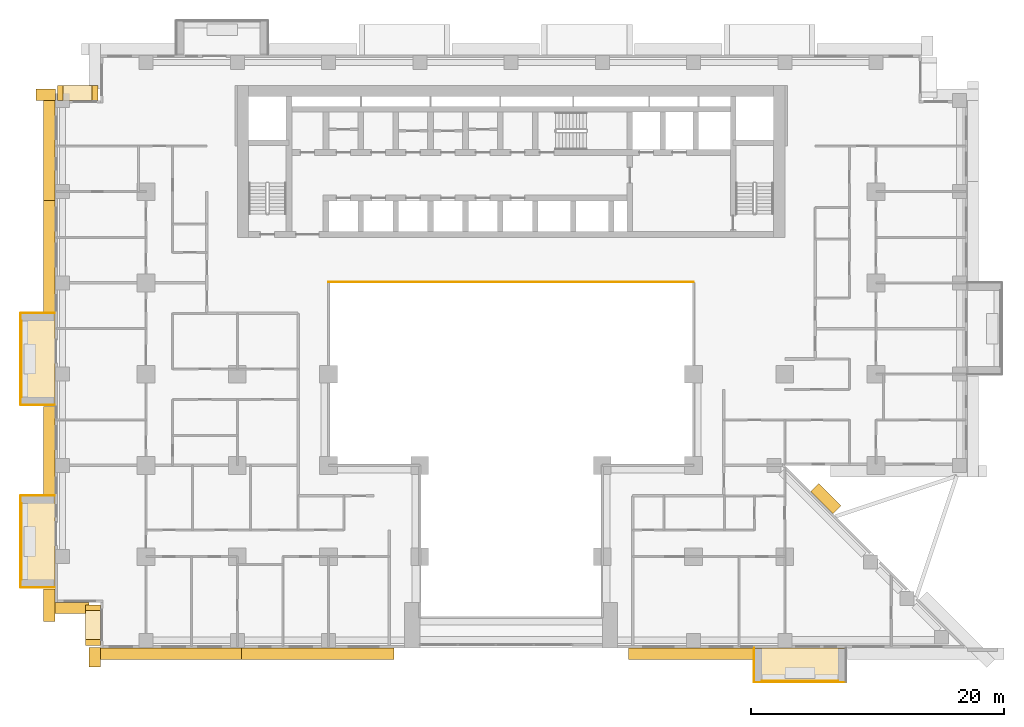
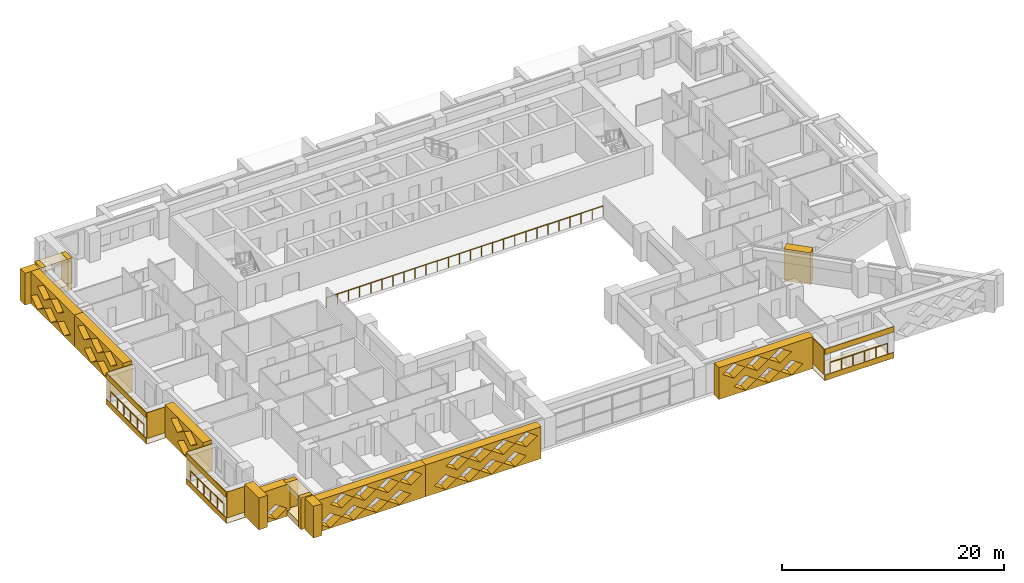
# One storey, part 13 of 16: 33 coverings, 4 railings.
"""IFC4 building model written with IfcOpenShell, lengths in metres."""

from ifc_helpers import new_model, si_unit, direction, frame, origin, origin_2d, place, context, subcontext, project, spatial, polyline, circle, outline, extrude, material, layer, layer_set, type_object, element, save


model = new_model("IFC4")

# Units and contexts
model_context = context("Model", 3, precision=1e-05, world=origin(), true_north=direction((0.0, 1.0)))
body_context = subcontext(model_context, "Body", "Model", "MODEL_VIEW")
ifc_project = project(units=[si_unit("LENGTHUNIT", "METRE"), si_unit("AREAUNIT", "SQUARE_METRE"), si_unit("VOLUMEUNIT", "CUBIC_METRE"), si_unit("PLANEANGLEUNIT", "RADIAN"), si_unit("MASSUNIT", "GRAM", prefix="KILO")], contexts=[model_context])

# Site, building, storey
site_placement = place(None, origin())
site = spatial("IfcSite", under=ifc_project, at=site_placement, CompositionType="ELEMENT")
building_placement = place(site_placement, origin())
building = spatial("IfcBuilding", under=site, at=building_placement, Name="Saffron Iwan Residences", CompositionType="ELEMENT")
storey_placement = place(building_placement, frame((0.0, 0.0, 30.5)))
storey = spatial("IfcBuildingStorey", under=building, at=storey_placement, Name="L06", CompositionType="ELEMENT", Elevation=30.5)

# Railings
ifc_material_1 = material(Name="Stainless steel 316", Category="steel")
railing_type_1 = type_object("IfcRailingType", Name="Atrium guard 1150", PredefinedType="GUARDRAIL", material=ifc_material_1)
railing_1_placement = place(storey_placement, frame((36.0, 62.47509765625, 0.0)))
element("IfcRailing", 1, at=railing_1_placement, inside=storey, type_object=railing_type_1, Name="Atrium guard L06", PredefinedType="GUARDRAIL", context=body_context, shape_type="SweptSolid", body=[
    extrude(circle(Radius=0.02392578125, at=origin_2d()), frame((0.0, 0.0, 1.1259765625), z_axis=(1.0, 0.0, 0.0), x_axis=(0.0, 1.0, 0.0)), (0.0, 0.0, 1.0), 28.800048828125),
    extrude(circle(Radius=0.02099609375, at=origin_2d()), origin(), (0.0, 0.0, 1.0), 1.101806640625),
    extrude(circle(Radius=0.02099609375, at=origin_2d()), frame((1.152099609375, 0.0, 0.0)), (0.0, 0.0, 1.0), 1.101806640625),
    extrude(circle(Radius=0.02099609375, at=origin_2d()), frame((2.303955078125, 0.0, 0.0)), (0.0, 0.0, 1.0), 1.101806640625),
    extrude(circle(Radius=0.02099609375, at=origin_2d()), frame((3.4560546875, 0.0, 0.0)), (0.0, 0.0, 1.0), 1.101806640625),
    extrude(circle(Radius=0.02099609375, at=origin_2d()), frame((4.60791015625, 0.0, 0.0)), (0.0, 0.0, 1.0), 1.101806640625),
    extrude(circle(Radius=0.02099609375, at=origin_2d()), frame((5.760009765625, 0.0, 0.0)), (0.0, 0.0, 1.0), 1.101806640625),
    extrude(circle(Radius=0.02099609375, at=origin_2d()), frame((6.912109375, 0.0, 0.0)), (0.0, 0.0, 1.0), 1.101806640625),
    extrude(circle(Radius=0.02099609375, at=origin_2d()), frame((8.06396484375, 0.0, 0.0)), (0.0, 0.0, 1.0), 1.101806640625),
    extrude(circle(Radius=0.02099609375, at=origin_2d()), frame((9.216064453125, 0.0, 0.0)), (0.0, 0.0, 1.0), 1.101806640625),
    extrude(circle(Radius=0.02099609375, at=origin_2d()), frame((10.367919921875, 0.0, 0.0)), (0.0, 0.0, 1.0), 1.101806640625),
    extrude(circle(Radius=0.02099609375, at=origin_2d()), frame((11.52001953125, 0.0, 0.0)), (0.0, 0.0, 1.0), 1.101806640625),
    extrude(circle(Radius=0.02099609375, at=origin_2d()), frame((12.672119140625, 0.0, 0.0)), (0.0, 0.0, 1.0), 1.101806640625),
    extrude(circle(Radius=0.02099609375, at=origin_2d()), frame((13.823974609375, 0.0, 0.0)), (0.0, 0.0, 1.0), 1.101806640625),
    extrude(circle(Radius=0.02099609375, at=origin_2d()), frame((14.97607421875, 0.0, 0.0)), (0.0, 0.0, 1.0), 1.101806640625),
    extrude(circle(Radius=0.02099609375, at=origin_2d()), frame((16.1279296875, 0.0, 0.0)), (0.0, 0.0, 1.0), 1.101806640625),
    extrude(circle(Radius=0.02099609375, at=origin_2d()), frame((17.280029296875, 0.0, 0.0)), (0.0, 0.0, 1.0), 1.101806640625),
    extrude(circle(Radius=0.02099609375, at=origin_2d()), frame((18.43212890625, 0.0, 0.0)), (0.0, 0.0, 1.0), 1.101806640625),
    extrude(circle(Radius=0.02099609375, at=origin_2d()), frame((19.583984375, 0.0, 0.0)), (0.0, 0.0, 1.0), 1.101806640625),
    extrude(circle(Radius=0.02099609375, at=origin_2d()), frame((20.736083984375, 0.0, 0.0)), (0.0, 0.0, 1.0), 1.101806640625),
    extrude(circle(Radius=0.02099609375, at=origin_2d()), frame((21.887939453125, 0.0, 0.0)), (0.0, 0.0, 1.0), 1.101806640625),
    extrude(circle(Radius=0.02099609375, at=origin_2d()), frame((23.0400390625, 0.0, 0.0)), (0.0, 0.0, 1.0), 1.101806640625),
    extrude(circle(Radius=0.02099609375, at=origin_2d()), frame((24.192138671875, 0.0, 0.0)), (0.0, 0.0, 1.0), 1.101806640625),
    extrude(circle(Radius=0.02099609375, at=origin_2d()), frame((25.343994140625, 0.0, 0.0)), (0.0, 0.0, 1.0), 1.101806640625),
    extrude(circle(Radius=0.02099609375, at=origin_2d()), frame((26.49609375, 0.0, 0.0)), (0.0, 0.0, 1.0), 1.101806640625),
    extrude(circle(Radius=0.02099609375, at=origin_2d()), frame((27.64794921875, 0.0, 0.0)), (0.0, 0.0, 1.0), 1.101806640625),
    extrude(circle(Radius=0.02099609375, at=origin_2d()), frame((28.800048828125, 0.0, 0.0)), (0.0, 0.0, 1.0), 1.101806640625),
])
railing_type_2 = type_object("IfcRailingType", Name="BALCONY GUARD 1150", PredefinedType="GUARDRAIL", material=ifc_material_1)
for number, where, name in (
    (2, (11.77490234375, 59.39990234375, 0.0), "Balcony guard L06 F8-1"),
    (3, (11.77490234375, 45.0, 0.0), "Balcony guard L06 F8-2"),
):
    element("IfcRailing", number, at=place(storey_placement, frame(where)), inside=storey, type_object=railing_type_2, Name=name, PredefinedType="GUARDRAIL", context=body_context, shape_type="SweptSolid", body=[
        extrude(circle(Radius=0.02392578125, at=origin_2d()), frame((0.0, 0.0, 1.1259765625), z_axis=(0.0, -1.0, 0.0), x_axis=(1.0, 0.0, 0.0)), (0.0, 0.0, 1.0), 6.0),
        extrude(circle(Radius=0.02099609375, at=origin_2d()), origin(), (0.0, 0.0, 1.0), 1.101806640625),
        extrude(circle(Radius=0.02099609375, at=origin_2d()), frame((0.0, -1.199951171875, 0.0)), (0.0, 0.0, 1.0), 1.101806640625),
        extrude(circle(Radius=0.02099609375, at=origin_2d()), frame((0.0, -2.39990234375, 0.0)), (0.0, 0.0, 1.0), 1.101806640625),
        extrude(circle(Radius=0.02099609375, at=origin_2d()), frame((0.0, -3.60009765625, 0.0)), (0.0, 0.0, 1.0), 1.101806640625),
        extrude(circle(Radius=0.02099609375, at=origin_2d()), frame((0.0, -4.800048828125, 0.0)), (0.0, 0.0, 1.0), 1.101806640625),
        extrude(circle(Radius=0.02099609375, at=origin_2d()), frame((0.0, -6.0, 0.0)), (0.0, 0.0, 1.0), 1.101806640625),
    ])
railing_2_placement = place(storey_placement, frame((70.199951171875, 30.97509765625, 0.0)))
element("IfcRailing", 4, at=railing_2_placement, inside=storey, type_object=railing_type_2, Name="Balcony guard L06 11-1", PredefinedType="GUARDRAIL", context=body_context, shape_type="SweptSolid", body=[
    extrude(circle(Radius=0.02392578125, at=origin_2d()), frame((0.0, 0.0, 1.1259765625), z_axis=(1.0, 0.0, 0.0), x_axis=(0.0, 1.0, 0.0)), (0.0, 0.0, 1.0), 6.0),
    extrude(circle(Radius=0.02099609375, at=origin_2d()), origin(), (0.0, 0.0, 1.0), 1.101806640625),
    extrude(circle(Radius=0.02099609375, at=origin_2d()), frame((1.199951171875, 0.0, 0.0)), (0.0, 0.0, 1.0), 1.101806640625),
    extrude(circle(Radius=0.02099609375, at=origin_2d()), frame((2.39990234375, 0.0, 0.0)), (0.0, 0.0, 1.0), 1.101806640625),
    extrude(circle(Radius=0.02099609375, at=origin_2d()), frame((3.60009765625, 0.0, 0.0)), (0.0, 0.0, 1.0), 1.101806640625),
    extrude(circle(Radius=0.02099609375, at=origin_2d()), frame((4.800048828125, 0.0, 0.0)), (0.0, 0.0, 1.0), 1.101806640625),
    extrude(circle(Radius=0.02099609375, at=origin_2d()), frame((6.0, 0.0, 0.0)), (0.0, 0.0, 1.0), 1.101806640625),
])

# Coverings
ifc_material_2 = material(Name="Precast concrete C40/50 white painted", Category="concrete")
ifc_layer = layer(ifc_material_2, 0.050048828125)
ifc_layer_set = layer_set([ifc_layer], Name="Precast concrete C40/50 white painted")
covering_type_1 = type_object("IfcCoveringType", Name="FRAME SKIN PRECAST WHITE 50", PredefinedType="CLADDING", material=ifc_layer_set)
for number, where, name in (
    (5, (0.0, 0.0, -0.60009765625), "Frame skin slab edge L06 F8-1"),
    (6, (0.0, 0.0, 2.25), "Frame skin fascia L06 F8-1"),
):
    element("IfcCovering", number, at=place(storey_placement, frame(where)), inside=storey, type_object=covering_type_1, Name=name, PredefinedType="CLADDING", context=body_context, shape_type="SweptSolid", body=[
        extrude(outline(polyline([(11.64990234375, 60.0), (11.64990234375, 52.800048828125), (11.699951171875, 52.800048828125), (11.699951171875, 60.0), (11.64990234375, 60.0)])), origin(), (0.0, 0.0, 1.0), 0.60009765625),
    ])
covering_1_placement = place(storey_placement, frame((0.0, 0.0, -0.64990234375)))
element("IfcCovering", 7, at=covering_1_placement, inside=storey, type_object=covering_type_1, Name="Frame skin soffit L06 F8-1", PredefinedType="CLADDING", context=body_context, shape_type="SweptSolid", body=[
    extrude(outline(polyline([(11.699951171875, 60.0), (11.699951171875, 52.800048828125), (14.39990234375, 52.800048828125), (14.39990234375, 60.0), (11.699951171875, 60.0)])), origin(), (0.0, 0.0, 1.0), 0.0498046875),
])
covering_2_placement = place(storey_placement, origin())
element("IfcCovering", 8, at=covering_2_placement, inside=storey, type_object=covering_type_1, Name="Frame skin fin L06 F8-1a", PredefinedType="CLADDING", context=body_context, shape_type="SweptSolid", body=[
    extrude(outline(polyline([(11.699951171875, 60.050048828125), (11.699951171875, 60.0), (14.39990234375, 60.0), (14.39990234375, 60.050048828125), (11.699951171875, 60.050048828125)])), origin(), (0.0, 0.0, 1.0), 2.85009765625),
])
covering_3_placement = place(storey_placement, origin())
element("IfcCovering", 9, at=covering_3_placement, inside=storey, type_object=covering_type_1, Name="Frame skin fin L06 F8-1b", PredefinedType="CLADDING", context=body_context, shape_type="SweptSolid", body=[
    extrude(outline(polyline([(11.699951171875, 52.800048828125), (11.699951171875, 52.75), (14.39990234375, 52.75), (14.39990234375, 52.800048828125), (11.699951171875, 52.800048828125)])), origin(), (0.0, 0.0, 1.0), 2.85009765625),
])
for number, where, name in (
    (10, (0.0, 0.0, -0.60009765625), "Frame skin slab edge L06 F8-2"),
    (11, (0.0, 0.0, 2.25), "Frame skin fascia L06 F8-2"),
):
    element("IfcCovering", number, at=place(storey_placement, frame(where)), inside=storey, type_object=covering_type_1, Name=name, PredefinedType="CLADDING", context=body_context, shape_type="SweptSolid", body=[
        extrude(outline(polyline([(11.64990234375, 45.60009765625), (11.64990234375, 38.39990234375), (11.699951171875, 38.39990234375), (11.699951171875, 45.60009765625), (11.64990234375, 45.60009765625)])), origin(), (0.0, 0.0, 1.0), 0.60009765625),
    ])
covering_4_placement = place(storey_placement, frame((0.0, 0.0, -0.64990234375)))
element("IfcCovering", 12, at=covering_4_placement, inside=storey, type_object=covering_type_1, Name="Frame skin soffit L06 F8-2", PredefinedType="CLADDING", context=body_context, shape_type="SweptSolid", body=[
    extrude(outline(polyline([(11.699951171875, 45.60009765625), (11.699951171875, 38.39990234375), (14.39990234375, 38.39990234375), (14.39990234375, 45.60009765625), (11.699951171875, 45.60009765625)])), origin(), (0.0, 0.0, 1.0), 0.0498046875),
])
covering_5_placement = place(storey_placement, origin())
element("IfcCovering", 13, at=covering_5_placement, inside=storey, type_object=covering_type_1, Name="Frame skin fin L06 F8-2a", PredefinedType="CLADDING", context=body_context, shape_type="SweptSolid", body=[
    extrude(outline(polyline([(11.699951171875, 45.64990234375), (11.699951171875, 45.60009765625), (14.39990234375, 45.60009765625), (14.39990234375, 45.64990234375), (11.699951171875, 45.64990234375)])), origin(), (0.0, 0.0, 1.0), 2.85009765625),
])
covering_6_placement = place(storey_placement, origin())
element("IfcCovering", 14, at=covering_6_placement, inside=storey, type_object=covering_type_1, Name="Frame skin fin L06 F8-2b", PredefinedType="CLADDING", context=body_context, shape_type="SweptSolid", body=[
    extrude(outline(polyline([(11.699951171875, 38.39990234375), (11.699951171875, 38.35009765625), (14.39990234375, 38.35009765625), (14.39990234375, 38.39990234375), (11.699951171875, 38.39990234375)])), origin(), (0.0, 0.0, 1.0), 2.85009765625),
])
for number, where, name in (
    (15, (0.0, 0.0, -0.60009765625), "Frame skin slab edge L06 11-1"),
    (16, (0.0, 0.0, 2.25), "Frame skin fascia L06 11-1"),
):
    element("IfcCovering", number, at=place(storey_placement, frame(where)), inside=storey, type_object=covering_type_1, Name=name, PredefinedType="CLADDING", context=body_context, shape_type="SweptSolid", body=[
        extrude(outline(polyline([(69.60009765625, 30.85009765625), (76.800048828125, 30.85009765625), (76.800048828125, 30.89990234375), (69.60009765625, 30.89990234375), (69.60009765625, 30.85009765625)])), origin(), (0.0, 0.0, 1.0), 0.60009765625),
    ])
covering_7_placement = place(storey_placement, frame((0.0, 0.0, -0.64990234375)))
element("IfcCovering", 17, at=covering_7_placement, inside=storey, type_object=covering_type_1, Name="Frame skin soffit L06 11-1", PredefinedType="CLADDING", context=body_context, shape_type="SweptSolid", body=[
    extrude(outline(polyline([(69.60009765625, 30.89990234375), (76.800048828125, 30.89990234375), (76.800048828125, 33.60009765625), (69.60009765625, 33.60009765625), (69.60009765625, 30.89990234375)])), origin(), (0.0, 0.0, 1.0), 0.0498046875),
])
covering_8_placement = place(storey_placement, origin())
element("IfcCovering", 18, at=covering_8_placement, inside=storey, type_object=covering_type_1, Name="Frame skin fin L06 11-1a", PredefinedType="CLADDING", context=body_context, shape_type="SweptSolid", body=[
    extrude(outline(polyline([(69.550048828125, 30.89990234375), (69.60009765625, 30.89990234375), (69.60009765625, 33.60009765625), (69.550048828125, 33.60009765625), (69.550048828125, 30.89990234375)])), origin(), (0.0, 0.0, 1.0), 2.85009765625),
])
ifc_material_3 = material(Name="Precast concrete C40/50", Category="concrete")
covering_type_2 = type_object("IfcCoveringType", Name="OUTER SKIN LATTICE SCREEN", PredefinedType="CLADDING", material=ifc_material_3)
covering_9_placement = place(storey_placement, frame((75.805908203125, 44.194091796875, -0.320068359375), z_axis=(0.707106781187, 0.707106781187, 0.0), x_axis=(-0.707106781187, 0.707106781187, 0.0)))
element("IfcCovering", 19, at=covering_9_placement, inside=storey, type_object=covering_type_2, Name="OUTER SKIN lattice screen L06 F0.1", PredefinedType="CLADDING", context=body_context, shape_type="SweptSolid", body=[
    extrude(outline(polyline([(0.0, 0.0), (2.4853515625, 0.0), (2.4853515625, 3.5), (0.0, 3.5), (0.0, 0.0)])), origin(), (0.0, 0.0, 1.0), 0.900146484375),
])
covering_10_placement = place(storey_placement, frame((14.449951171875, 76.800048828125, -0.320068359375), z_axis=(0.0, 1.0, 0.0), x_axis=(-1.0, 0.0, 0.0)))
element("IfcCovering", 20, at=covering_10_placement, inside=storey, type_object=covering_type_2, Name="OUTER SKIN lattice screen L06 F7.0", PredefinedType="CLADDING", context=body_context, shape_type="SweptSolid", body=[
    extrude(outline(polyline([(0.0, 0.0), (1.550048828125, 0.0), (1.550048828125, 3.5), (0.0, 3.5), (0.0, 0.0)])), origin(), (0.0, 0.0, 1.0), 0.89990234375),
])
covering_11_placement = place(storey_placement, frame((14.39990234375, 77.699951171875, -0.320068359375), z_axis=(-1.0, 0.0, 0.0), x_axis=(0.0, -1.0, 0.0)))
element("IfcCovering", 21, at=covering_11_placement, inside=storey, type_object=covering_type_2, Name="OUTER SKIN lattice screen L06 F8.0", PredefinedType="CLADDING", context=body_context, shape_type="SweptSolid", body=[
    extrude(outline(polyline([(0.0, 0.0), (8.77490234375, 0.0), (8.77490234375, 3.5), (0.0, 3.5), (0.0, 0.0)]), holes=[polyline([(0.919921875, 0.875), (2.10009765625, 0.06005859375), (3.280029296875, 0.875), (2.10009765625, 1.68994140625), (0.919921875, 0.875)]), polyline([(3.320068359375, 0.875), (4.5, 0.06005859375), (5.679931640625, 0.875), (4.5, 1.68994140625), (3.320068359375, 0.875)]), polyline([(5.719970703125, 0.875), (6.89990234375, 0.06005859375), (8.080078125, 0.875), (6.89990234375, 1.68994140625), (5.719970703125, 0.875)]), polyline([(2.1201171875, 2.625), (3.300048828125, 1.81005859375), (4.47998046875, 2.625), (3.300048828125, 3.43994140625), (2.1201171875, 2.625)]), polyline([(4.52001953125, 2.625), (5.699951171875, 1.81005859375), (6.8798828125, 2.625), (5.699951171875, 3.43994140625), (4.52001953125, 2.625)])]), origin(), (0.0, 0.0, 1.0), 0.89990234375),
])
covering_12_placement = place(storey_placement, frame((14.39990234375, 68.925048828125, -0.320068359375), z_axis=(-1.0, 0.0, 0.0), x_axis=(0.0, -1.0, 0.0)))
element("IfcCovering", 22, at=covering_12_placement, inside=storey, type_object=covering_type_2, Name="OUTER SKIN lattice screen L06 F8.1", PredefinedType="CLADDING", context=body_context, shape_type="SweptSolid", body=[
    extrude(outline(polyline([(0.0, 0.0), (8.77490234375, 0.0), (8.77490234375, 3.5), (0.0, 3.5), (0.0, 0.0)]), holes=[polyline([(1.7451171875, 0.875), (2.925048828125, 0.06005859375), (4.10498046875, 0.875), (2.925048828125, 1.68994140625), (1.7451171875, 0.875)]), polyline([(4.14501953125, 0.875), (5.324951171875, 0.06005859375), (6.5048828125, 0.875), (5.324951171875, 1.68994140625), (4.14501953125, 0.875)]), polyline([(0.544921875, 2.625), (1.72509765625, 1.81005859375), (2.905029296875, 2.625), (1.72509765625, 3.43994140625), (0.544921875, 2.625)]), polyline([(2.945068359375, 2.625), (4.125, 1.81005859375), (5.304931640625, 2.625), (4.125, 3.43994140625), (2.945068359375, 2.625)]), polyline([(5.344970703125, 2.625), (6.52490234375, 1.81005859375), (7.705078125, 2.625), (6.52490234375, 3.43994140625), (5.344970703125, 2.625)])]), origin(), (0.0, 0.0, 1.0), 0.89990234375),
])
covering_13_placement = place(storey_placement, frame((14.39990234375, 52.64990234375, -0.320068359375), z_axis=(-1.0, 0.0, 0.0), x_axis=(0.0, -1.0, 0.0)))
element("IfcCovering", 23, at=covering_13_placement, inside=storey, type_object=covering_type_2, Name="OUTER SKIN lattice screen L06 F8.2", PredefinedType="CLADDING", context=body_context, shape_type="SweptSolid", body=[
    extrude(outline(polyline([(0.0, 0.0), (6.89990234375, 0.0), (6.89990234375, 3.5), (0.0, 3.5), (0.0, 0.0)]), holes=[polyline([(2.27001953125, 0.875), (3.449951171875, 0.06005859375), (4.6298828125, 0.875), (3.449951171875, 1.68994140625), (2.27001953125, 0.875)]), polyline([(1.070068359375, 2.625), (2.25, 1.81005859375), (3.429931640625, 2.625), (2.25, 3.43994140625), (1.070068359375, 2.625)]), polyline([(3.469970703125, 2.625), (4.64990234375, 1.81005859375), (5.830078125, 2.625), (4.64990234375, 3.43994140625), (3.469970703125, 2.625)])]), origin(), (0.0, 0.0, 1.0), 0.89990234375),
])
covering_14_placement = place(storey_placement, frame((14.39990234375, 38.25, -0.320068359375), z_axis=(-1.0, 0.0, 0.0), x_axis=(0.0, -1.0, 0.0)))
element("IfcCovering", 24, at=covering_14_placement, inside=storey, type_object=covering_type_2, Name="OUTER SKIN lattice screen L06 F8.3", PredefinedType="CLADDING", context=body_context, shape_type="SweptSolid", body=[
    extrude(outline(polyline([(0.0, 0.0), (2.550048828125, 0.0), (2.550048828125, 3.5), (0.0, 3.5), (0.0, 0.0)])), origin(), (0.0, 0.0, 1.0), 0.89990234375),
])
covering_15_placement = place(storey_placement, frame((13.5, 37.199951171875, -0.320068359375), z_axis=(0.0, -1.0, 0.0), x_axis=(1.0, 0.0, 0.0)))
element("IfcCovering", 25, at=covering_15_placement, inside=storey, type_object=covering_type_2, Name="OUTER SKIN lattice screen L06 F9.0", PredefinedType="CLADDING", context=body_context, shape_type="SweptSolid", body=[
    extrude(outline(polyline([(0.0, 0.0), (3.60009765625, 0.0), (3.60009765625, 3.5), (0.0, 3.5), (0.0, 0.0)]), holes=[polyline([(0.919921875, 0.875), (2.10009765625, 0.06005859375), (3.280029296875, 0.875), (2.10009765625, 1.68994140625), (0.919921875, 0.875)])]), origin(), (0.0, 0.0, 1.0), 0.89990234375),
])
covering_16_placement = place(storey_placement, frame((18.0, 33.64990234375, -0.320068359375), z_axis=(-1.0, 0.0, 0.0), x_axis=(0.0, -1.0, 0.0)))
element("IfcCovering", 26, at=covering_16_placement, inside=storey, type_object=covering_type_2, Name="OUTER SKIN lattice screen L06 F10.0", PredefinedType="CLADDING", context=body_context, shape_type="SweptSolid", body=[
    extrude(outline(polyline([(0.0, 0.0), (1.550048828125, 0.0), (1.550048828125, 3.5), (0.0, 3.5), (0.0, 0.0)])), origin(), (0.0, 0.0, 1.0), 0.89990234375),
])
covering_17_placement = place(storey_placement, frame((17.10009765625, 33.60009765625, -0.320068359375), z_axis=(0.0, -1.0, 0.0), x_axis=(1.0, 0.0, 0.0)))
element("IfcCovering", 27, at=covering_17_placement, inside=storey, type_object=covering_type_2, Name="OUTER SKIN lattice screen L06 F11.0", PredefinedType="CLADDING", context=body_context, shape_type="SweptSolid", body=[
    extrude(outline(polyline([(0.0, 0.0), (12.02490234375, 0.0), (12.02490234375, 3.5), (0.0, 3.5), (0.0, 0.0)]), holes=[polyline([(0.919921875, 0.875), (2.10009765625, 0.06005859375), (3.280029296875, 0.875), (2.10009765625, 1.68994140625), (0.919921875, 0.875)]), polyline([(3.320068359375, 0.875), (4.5, 0.06005859375), (5.679931640625, 0.875), (4.5, 1.68994140625), (3.320068359375, 0.875)]), polyline([(5.719970703125, 0.875), (6.89990234375, 0.06005859375), (8.080078125, 0.875), (6.89990234375, 1.68994140625), (5.719970703125, 0.875)]), polyline([(8.1201171875, 0.875), (9.300048828125, 0.06005859375), (10.47998046875, 0.875), (9.300048828125, 1.68994140625), (8.1201171875, 0.875)]), polyline([(2.1201171875, 2.625), (3.300048828125, 1.81005859375), (4.47998046875, 2.625), (3.300048828125, 3.43994140625), (2.1201171875, 2.625)]), polyline([(4.52001953125, 2.625), (5.699951171875, 1.81005859375), (6.8798828125, 2.625), (5.699951171875, 3.43994140625), (4.52001953125, 2.625)]), polyline([(6.919921875, 2.625), (8.10009765625, 1.81005859375), (9.280029296875, 2.625), (8.10009765625, 3.43994140625), (6.919921875, 2.625)]), polyline([(9.320068359375, 2.625), (10.5, 1.81005859375), (11.679931640625, 2.625), (10.5, 3.43994140625), (9.320068359375, 2.625)])]), origin(), (0.0, 0.0, 1.0), 0.900146484375),
])
covering_18_placement = place(storey_placement, frame((29.125, 33.60009765625, -0.320068359375), z_axis=(0.0, -1.0, 0.0), x_axis=(1.0, 0.0, 0.0)))
element("IfcCovering", 28, at=covering_18_placement, inside=storey, type_object=covering_type_2, Name="OUTER SKIN lattice screen L06 F11.1", PredefinedType="CLADDING", context=body_context, shape_type="SweptSolid", body=[
    extrude(outline(polyline([(0.0, 0.0), (12.02490234375, 0.0), (12.02490234375, 3.5), (0.0, 3.5), (0.0, 0.0)]), holes=[polyline([(0.89501953125, 0.875), (2.074951171875, 0.06005859375), (3.2548828125, 0.875), (2.074951171875, 1.68994140625), (0.89501953125, 0.875)]), polyline([(3.294921875, 0.875), (4.47509765625, 0.06005859375), (5.655029296875, 0.875), (4.47509765625, 1.68994140625), (3.294921875, 0.875)]), polyline([(5.695068359375, 0.875), (6.875, 0.06005859375), (8.054931640625, 0.875), (6.875, 1.68994140625), (5.695068359375, 0.875)]), polyline([(8.094970703125, 0.875), (9.27490234375, 0.06005859375), (10.455078125, 0.875), (9.27490234375, 1.68994140625), (8.094970703125, 0.875)]), polyline([(2.094970703125, 2.625), (3.27490234375, 1.81005859375), (4.455078125, 2.625), (3.27490234375, 3.43994140625), (2.094970703125, 2.625)]), polyline([(4.4951171875, 2.625), (5.675048828125, 1.81005859375), (6.85498046875, 2.625), (5.675048828125, 3.43994140625), (4.4951171875, 2.625)]), polyline([(6.89501953125, 2.625), (8.074951171875, 1.81005859375), (9.2548828125, 2.625), (8.074951171875, 3.43994140625), (6.89501953125, 2.625)]), polyline([(9.294921875, 2.625), (10.47509765625, 1.81005859375), (11.655029296875, 2.625), (10.47509765625, 3.43994140625), (9.294921875, 2.625)])]), origin(), (0.0, 0.0, 1.0), 0.900146484375),
])
covering_19_placement = place(storey_placement, frame((59.64990234375, 33.60009765625, -0.320068359375), z_axis=(0.0, -1.0, 0.0), x_axis=(1.0, 0.0, 0.0)))
element("IfcCovering", 29, at=covering_19_placement, inside=storey, type_object=covering_type_2, Name="OUTER SKIN lattice screen L06 F11.2", PredefinedType="CLADDING", context=body_context, shape_type="SweptSolid", body=[
    extrude(outline(polyline([(0.0, 0.0), (9.800048828125, 0.0), (9.800048828125, 3.5), (0.0, 3.5), (0.0, 0.0)]), holes=[polyline([(1.570068359375, 0.875), (2.75, 0.06005859375), (3.929931640625, 0.875), (2.75, 1.68994140625), (1.570068359375, 0.875)]), polyline([(3.969970703125, 0.875), (5.14990234375, 0.06005859375), (6.330078125, 0.875), (5.14990234375, 1.68994140625), (3.969970703125, 0.875)]), polyline([(6.3701171875, 0.875), (7.550048828125, 0.06005859375), (8.72998046875, 0.875), (7.550048828125, 1.68994140625), (6.3701171875, 0.875)]), polyline([(0.3701171875, 2.625), (1.550048828125, 1.81005859375), (2.72998046875, 2.625), (1.550048828125, 3.43994140625), (0.3701171875, 2.625)]), polyline([(2.77001953125, 2.625), (3.949951171875, 1.81005859375), (5.1298828125, 2.625), (3.949951171875, 3.43994140625), (2.77001953125, 2.625)]), polyline([(5.169921875, 2.625), (6.35009765625, 1.81005859375), (7.530029296875, 2.625), (6.35009765625, 3.43994140625), (5.169921875, 2.625)])]), origin(), (0.0, 0.0, 1.0), 0.900146484375),
])
covering_type_3 = type_object("IfcCoveringType", Name="WHITE SUN FRAME PRECAST", PredefinedType="CLADDING", material=ifc_material_2)
for number, where, z_axis, x_axis, name in (
    (30, (17.800048828125, 76.800048828125, -0.320068359375), (0.0, 1.0, 0.0), (-1.0, 0.0, 0.0), "Sun frame L06 F7 0.2a"),
    (31, (15.050048828125, 76.800048828125, -0.320068359375), (0.0, 1.0, 0.0), (-1.0, 0.0, 0.0), "Sun frame L06 F7 0.2b"),
):
    element("IfcCovering", number, at=place(storey_placement, frame(where, z_axis=z_axis, x_axis=x_axis)), inside=storey, type_object=covering_type_3, Name=name, PredefinedType="CLADDING", context=body_context, shape_type="SweptSolid", body=[
        extrude(outline(polyline([(0.0, 0.0), (0.449951171875, 0.0), (0.449951171875, 3.5), (0.0, 3.5), (0.0, 0.0)])), origin(), (0.0, 0.0, 1.0), 1.199951171875),
    ])
for number, where, z_axis, x_axis, name in (
    (32, (17.35009765625, 76.800048828125, 2.580078125), (0.0, 1.0, 0.0), (-1.0, 0.0, 0.0), "Sun frame L06 F7 0.2h"),
    (33, (17.35009765625, 76.800048828125, -0.320068359375), (0.0, 1.0, 0.0), (-1.0, 0.0, 0.0), "Sun frame L06 F7 0.2s"),
):
    element("IfcCovering", number, at=place(storey_placement, frame(where, z_axis=z_axis, x_axis=x_axis)), inside=storey, type_object=covering_type_3, Name=name, PredefinedType="CLADDING", context=body_context, shape_type="SweptSolid", body=[
        extrude(outline(polyline([(0.0, 0.0), (2.300048828125, 0.0), (2.300048828125, 0.60009765625), (0.0, 0.60009765625), (0.0, 0.0)])), origin(), (0.0, 0.0, 1.0), 1.199951171875),
    ])
for number, where, z_axis, x_axis, name in (
    (34, (18.0, 37.0, -0.320068359375), (-1.0, 0.0, 0.0), (0.0, -1.0, 0.0), "Sun frame L06 F10 0.2a"),
    (35, (18.0, 34.25, -0.320068359375), (-1.0, 0.0, 0.0), (0.0, -1.0, 0.0), "Sun frame L06 F10 0.2b"),
):
    element("IfcCovering", number, at=place(storey_placement, frame(where, z_axis=z_axis, x_axis=x_axis)), inside=storey, type_object=covering_type_3, Name=name, PredefinedType="CLADDING", context=body_context, shape_type="SweptSolid", body=[
        extrude(outline(polyline([(0.0, 0.0), (0.449951171875, 0.0), (0.449951171875, 3.5), (0.0, 3.5), (0.0, 0.0)])), origin(), (0.0, 0.0, 1.0), 1.199951171875),
    ])
for number, where, z_axis, x_axis, name in (
    (36, (18.0, 36.550048828125, 2.580078125), (-1.0, 0.0, 0.0), (0.0, -1.0, 0.0), "Sun frame L06 F10 0.2h"),
    (37, (18.0, 36.550048828125, -0.320068359375), (-1.0, 0.0, 0.0), (0.0, -1.0, 0.0), "Sun frame L06 F10 0.2s"),
):
    element("IfcCovering", number, at=place(storey_placement, frame(where, z_axis=z_axis, x_axis=x_axis)), inside=storey, type_object=covering_type_3, Name=name, PredefinedType="CLADDING", context=body_context, shape_type="SweptSolid", body=[
        extrude(outline(polyline([(0.0, 0.0), (2.300048828125, 0.0), (2.300048828125, 0.60009765625), (0.0, 0.60009765625), (0.0, 0.0)])), origin(), (0.0, 0.0, 1.0), 1.199951171875),
    ])

save(model, "model.ifc")
